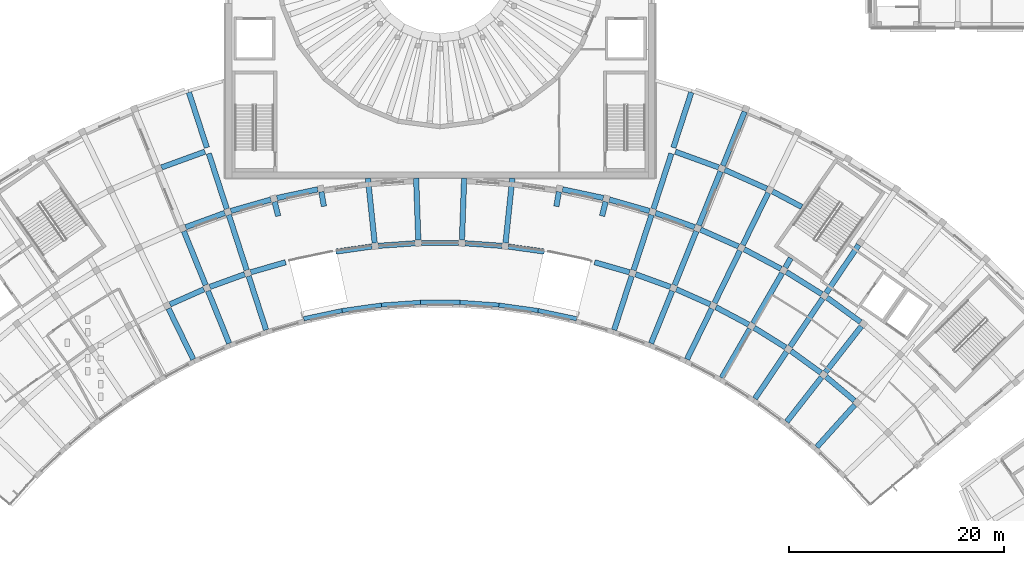
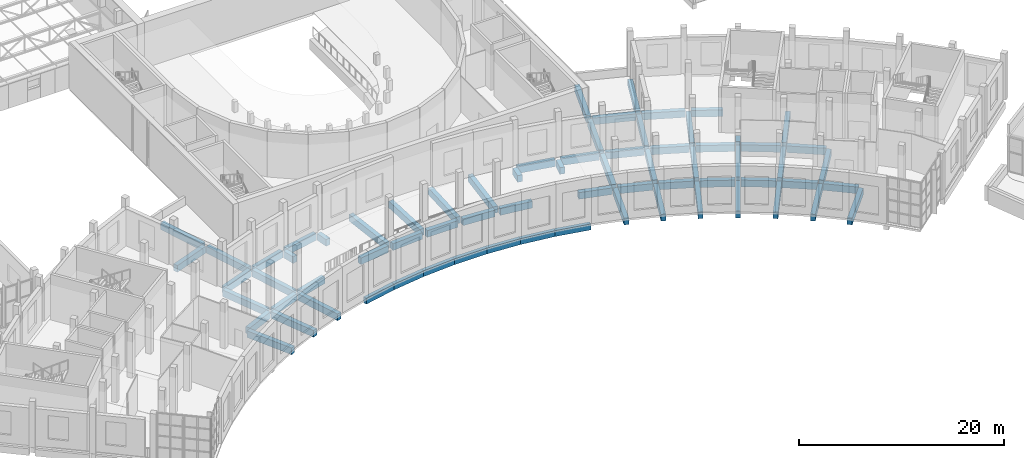
# One storey, part 13 of 132: 71 beams.
"""IFC4 building model written with IfcOpenShell, lengths in metres."""

from ifc_helpers import new_model, si_unit, direction, frame, origin, origin_2d, place, context, subcontext, project, spatial, rectangle, extrude, material, material_profile, profile_set, type_object, element, save


model = new_model("IFC4")

# Units and contexts
model_context = context("Model", 3, precision=1e-05, world=origin(), true_north=direction((0.0, 1.0)))
body_context = subcontext(model_context, "Body", "Model", "MODEL_VIEW")
ifc_project = project(units=[si_unit("LENGTHUNIT", "METRE"), si_unit("AREAUNIT", "SQUARE_METRE"), si_unit("VOLUMEUNIT", "CUBIC_METRE"), si_unit("PLANEANGLEUNIT", "RADIAN"), si_unit("MASSUNIT", "GRAM", prefix="KILO")], contexts=[model_context])

# Site, building, storey
site_placement = place(None, origin())
site = spatial("IfcSite", under=ifc_project, at=site_placement, CompositionType="ELEMENT")
building_placement = place(site_placement, origin())
building = spatial("IfcBuilding", under=site, at=building_placement, Name="Lunette Opera House", CompositionType="ELEMENT")
storey_placement = place(building_placement, frame((0.0, 0.0, 17.0)))
storey = spatial("IfcBuildingStorey", under=building, at=storey_placement, Name="L03", CompositionType="ELEMENT", Elevation=17.0)

# Beams
ifc_material_1 = material(Name="Concrete C35/45", Category="concrete")
ifc_material_profile_1 = material_profile(ifc_material_1, rectangle(XDim=0.39990234375, YDim=0.699951171875, at=origin_2d()), Name="RC BEAM 400X700")
ifc_profile_set_1 = profile_set([ifc_material_profile_1], Name="Concrete C35/45")
beam_type_1 = type_object("IfcBeamType", Name="RC BEAM 400X700", PredefinedType="BEAM", material=ifc_profile_set_1)
for number, where, z_axis, x_axis, name in (
    (1, (86.902099609375, 51.680908203125, -0.570068359375), (-0.9781869111, -0.207726664037, 0.0), (0.207726664037, -0.9781869111, 0.0), "beam-FC-L03-TRL03-029"),
    (2, (108.708984375, 50.9140625, -0.570068359375), (-0.9781869111, 0.207726664037, 0.0), (-0.207726664037, -0.9781869111, 0.0), "beam-FC-L03-TRL03-030"),
):
    element("IfcBeam", number, at=place(storey_placement, frame(where, z_axis=z_axis, x_axis=x_axis)), inside=storey, type_object=beam_type_1, Name=name, PredefinedType="BEAM", context=body_context, shape_type="SweptSolid", body=[
        extrude(rectangle(XDim=0.39990234375, YDim=0.699951171875, at=origin_2d()), origin(), (0.0, 0.0, 1.0), 3.691650390625),
    ])
beam_1_placement = place(storey_placement, frame((105.126953125, 51.676025390625, -0.570068359375), z_axis=(-0.990264413823, 0.139199104581, 0.0), x_axis=(-0.139199104581, -0.990264413823, 0.0)))
element("IfcBeam", 3, at=beam_1_placement, inside=storey, type_object=beam_type_1, Name="beam-FC-L03-TRL03-031", PredefinedType="BEAM", context=body_context, shape_type="SweptSolid", body=[
    extrude(rectangle(XDim=0.39990234375, YDim=0.699951171875, at=origin_2d()), origin(), (0.0, 0.0, 1.0), 3.69189453125),
])
beam_2_placement = place(storey_placement, frame((101.4990234375, 52.18701171875, -0.570068359375), z_axis=(-0.997571575243, 0.069648777929, 0.0), x_axis=(-0.069648777929, -0.997571575243, 0.0)))
element("IfcBeam", 4, at=beam_2_placement, inside=storey, type_object=beam_type_1, Name="beam-FC-L03-TRL03-032", PredefinedType="BEAM", context=body_context, shape_type="SweptSolid", body=[
    extrude(rectangle(XDim=0.39990234375, YDim=0.699951171875, at=origin_2d()), origin(), (0.0, 0.0, 1.0), 3.691162109375),
])
beam_3_placement = place(storey_placement, frame((97.845947265625, 52.443115234375, -0.570068359375), z_axis=(-1.0, 0.0, 0.0), x_axis=(0.0, -1.0, 0.0)))
element("IfcBeam", 5, at=beam_3_placement, inside=storey, type_object=beam_type_1, Name="beam-FC-L03-TRL03-033", PredefinedType="BEAM", context=body_context, shape_type="SweptSolid", body=[
    extrude(rectangle(XDim=0.39990234375, YDim=0.699951171875, at=origin_2d()), origin(), (0.0, 0.0, 1.0), 3.69189453125),
])
beam_4_placement = place(storey_placement, frame((94.18310546875, 52.444091796875, -0.570068359375), z_axis=(-0.997571575243, -0.069648777929, 0.0), x_axis=(0.069648777929, -0.997571575243, 0.0)))
element("IfcBeam", 6, at=beam_4_placement, inside=storey, type_object=beam_type_1, Name="beam-FC-L03-TRL03-034", PredefinedType="BEAM", context=body_context, shape_type="SweptSolid", body=[
    extrude(rectangle(XDim=0.39990234375, YDim=0.699951171875, at=origin_2d()), origin(), (0.0, 0.0, 1.0), 3.691162109375),
])
beam_5_placement = place(storey_placement, frame((90.529052734375, 52.18994140625, -0.570068359375), z_axis=(-0.990264413823, -0.139199104581, 0.0), x_axis=(0.139199104581, -0.990264413823, 0.0)))
element("IfcBeam", 7, at=beam_5_placement, inside=storey, type_object=beam_type_1, Name="beam-FC-L03-TRL03-035", PredefinedType="BEAM", context=body_context, shape_type="SweptSolid", body=[
    extrude(rectangle(XDim=0.39990234375, YDim=0.699951171875, at=origin_2d()), origin(), (0.0, 0.0, 1.0), 3.69189453125),
])
ifc_material_2 = material(Name="Concrete C35/45", Category="concrete")
ifc_material_profile_2 = material_profile(ifc_material_2, rectangle(XDim=0.5, YDim=0.800048828125, at=origin_2d()), Name="RC BEAM 500X800")
ifc_profile_set_2 = profile_set([ifc_material_profile_2], Name="Concrete C35/45")
beam_type_2 = type_object("IfcBeamType", Name="RC BEAM 500X800", PredefinedType="BEAM", material=ifc_profile_set_2)
beam_6_placement = place(storey_placement, frame((73.011962890625, 47.133056640625, -0.6201171875), z_axis=(-0.43840720038, 0.898776460893, 0.0), x_axis=(-0.898776460893, -0.43840720038, 0.0)))
element("IfcBeam", 8, at=beam_6_placement, inside=storey, type_object=beam_type_2, Name="beam-FC-L03-L03-RB-RL-07-1", PredefinedType="BEAM", context=body_context, shape_type="SweptSolid", body=[
    extrude(rectangle(XDim=0.5, YDim=0.800048828125, at=origin_2d()), origin(), (0.0, 0.0, 1.0), 5.269287109375),
])
beam_7_placement = place(storey_placement, frame((76.35595703125, 48.6220703125, -0.6201171875), z_axis=(-0.374734953038, 0.927131983577, 0.0), x_axis=(-0.927131983577, -0.374734953038, 0.0)))
element("IfcBeam", 9, at=beam_7_placement, inside=storey, type_object=beam_type_2, Name="beam-FC-L03-L03-RB-RL-08-1", PredefinedType="BEAM", context=body_context, shape_type="SweptSolid", body=[
    extrude(rectangle(XDim=0.5, YDim=0.800048828125, at=origin_2d()), origin(), (0.0, 0.0, 1.0), 5.27001953125),
])
beam_8_placement = place(storey_placement, frame((74.1640625, 54.0458984375, -0.6201171875), z_axis=(-0.374565086829, 0.927200623236, 0.0), x_axis=(-0.927200623236, -0.374565086829, 0.0)))
element("IfcBeam", 10, at=beam_8_placement, inside=storey, type_object=beam_type_2, Name="beam-FC-L03-L03-RB-RL-08-2", PredefinedType="BEAM", context=body_context, shape_type="SweptSolid", body=[
    extrude(rectangle(XDim=0.5, YDim=0.800048828125, at=origin_2d()), origin(), (0.0, 0.0, 1.0), 5.419677734375),
])
beam_9_placement = place(storey_placement, frame((79.794921875, 49.873046875, -0.6201171875), z_axis=(-0.308921598548, 0.951087506989, 0.0), x_axis=(-0.951087506989, -0.308921598548, 0.0)))
element("IfcBeam", 11, at=beam_9_placement, inside=storey, type_object=beam_type_2, Name="beam-FC-L03-L03-RB-RL-09-1", PredefinedType="BEAM", context=body_context, shape_type="SweptSolid", body=[
    extrude(rectangle(XDim=0.5, YDim=0.800048828125, at=origin_2d()), origin(), (0.0, 0.0, 1.0), 5.269775390625),
])
beam_10_placement = place(storey_placement, frame((77.987060546875, 55.43701171875, -0.6201171875), z_axis=(-0.308867082307, 0.951105212617, 0.0), x_axis=(-0.951105212617, -0.308867082307, 0.0)))
element("IfcBeam", 12, at=beam_10_placement, inside=storey, type_object=beam_type_2, Name="beam-FC-L03-L03-RB-RL-09-2", PredefinedType="BEAM", context=body_context, shape_type="SweptSolid", body=[
    extrude(rectangle(XDim=0.5, YDim=0.800048828125, at=origin_2d()), origin(), (0.0, 0.0, 1.0), 5.419921875),
])
beam_11_placement = place(storey_placement, frame((76.133056640625, 61.14306640625, -0.6201171875), z_axis=(-0.30903005631, 0.951052272116, 0.0), x_axis=(-0.951052272116, -0.30903005631, 0.0)))
element("IfcBeam", 13, at=beam_11_placement, inside=storey, type_object=beam_type_2, Name="beam-FC-L03-L03-RB-RL-09-3", PredefinedType="BEAM", context=body_context, shape_type="SweptSolid", body=[
    extrude(rectangle(XDim=0.5, YDim=0.800048828125, at=origin_2d()), origin(), (0.0, 0.0, 1.0), 5.42041015625),
])
beam_12_placement = place(storey_placement, frame((74.279052734375, 66.85009765625, -0.6201171875), z_axis=(-0.309096259136, 0.951030757961, 0.0), x_axis=(-0.951030757961, -0.309096259136, 0.0)))
element("IfcBeam", 14, at=beam_12_placement, inside=storey, type_object=beam_type_2, Name="beam-FC-L03-L03-RB-RL-09-4", PredefinedType="BEAM", context=body_context, shape_type="SweptSolid", body=[
    extrude(rectangle(XDim=0.5, YDim=0.800048828125, at=origin_2d()), origin(), (0.0, 0.0, 1.0), 5.419189453125),
])
beam_13_placement = place(storey_placement, frame((80.9208984375, 60.47705078125, -0.6201171875), z_axis=(-0.241662648363, 0.970360327088, 0.0), x_axis=(-0.970360327088, -0.241662648363, 0.0)))
element("IfcBeam", 15, at=beam_13_placement, inside=storey, type_object=beam_type_2, Name="beam-FC-L03-L03-RB-RL-10-2", PredefinedType="BEAM", context=body_context, shape_type="SweptSolid", body=[
    extrude(rectangle(XDim=0.5, YDim=0.800048828125, at=origin_2d()), origin(), (0.0, 0.0, 1.0), 1.382080078125),
])
beam_14_placement = place(storey_placement, frame((85.177001953125, 61.381103515625, -0.6201171875), z_axis=(-0.173674464404, 0.984803117589, 0.0), x_axis=(-0.984803117589, -0.173674464404, 0.0)))
element("IfcBeam", 16, at=beam_14_placement, inside=storey, type_object=beam_type_2, Name="beam-FC-L03-L03-RB-RL-11-2", PredefinedType="BEAM", context=body_context, shape_type="SweptSolid", body=[
    extrude(rectangle(XDim=0.5, YDim=0.800048828125, at=origin_2d()), origin(), (0.0, 0.0, 1.0), 1.3818359375),
])
beam_15_placement = place(storey_placement, frame((89.906982421875, 57.970947265625, -0.6201171875), z_axis=(-0.104586255643, 0.994515819447, 0.0), x_axis=(-0.994515819447, -0.104586255643, 0.0)))
element("IfcBeam", 17, at=beam_15_placement, inside=storey, type_object=beam_type_2, Name="beam-FC-L03-L03-RB-RL-12-2", PredefinedType="BEAM", context=body_context, shape_type="SweptSolid", body=[
    extrude(rectangle(XDim=0.5, YDim=0.800048828125, at=origin_2d()), origin(), (0.0, 0.0, 1.0), 6.062255859375),
])
for number, where, z_axis, x_axis, name in (
    (18, (93.966064453125, 58.25390625, -0.6201171875), (-0.034988760606, 0.999387705864, 0.0), (-0.999387705864, -0.034988760606, 0.0), "beam-FC-L03-L03-RB-RL-13-2"),
    (19, (98.033935546875, 58.25390625, -0.6201171875), (0.034988760606, 0.999387705864, 0.0), (-0.999387705864, 0.034988760606, 0.0), "beam-FC-L03-L03-RB-RL-14-2"),
):
    element("IfcBeam", number, at=place(storey_placement, frame(where, z_axis=z_axis, x_axis=x_axis)), inside=storey, type_object=beam_type_2, Name=name, PredefinedType="BEAM", context=body_context, shape_type="SweptSolid", body=[
        extrude(rectangle(XDim=0.5, YDim=0.800048828125, at=origin_2d()), origin(), (0.0, 0.0, 1.0), 5.74951171875),
    ])
beam_16_placement = place(storey_placement, frame((102.093017578125, 57.970947265625, -0.6201171875), z_axis=(0.104586255643, 0.994515819447, 0.0), x_axis=(-0.994515819447, 0.104586255643, 0.0)))
element("IfcBeam", 20, at=beam_16_placement, inside=storey, type_object=beam_type_2, Name="beam-FC-L03-L03-RB-RL-15-2", PredefinedType="BEAM", context=body_context, shape_type="SweptSolid", body=[
    extrude(rectangle(XDim=0.5, YDim=0.800048828125, at=origin_2d()), origin(), (0.0, 0.0, 1.0), 6.062255859375),
])
beam_17_placement = place(storey_placement, frame((106.822998046875, 61.381103515625, -0.6201171875), z_axis=(0.173674464404, 0.984803117589, 0.0), x_axis=(-0.984803117589, 0.173674464404, 0.0)))
element("IfcBeam", 21, at=beam_17_placement, inside=storey, type_object=beam_type_2, Name="beam-FC-L03-L03-RB-RL-16-2", PredefinedType="BEAM", context=body_context, shape_type="SweptSolid", body=[
    extrude(rectangle(XDim=0.5, YDim=0.800048828125, at=origin_2d()), origin(), (0.0, 0.0, 1.0), 1.3818359375),
])
beam_18_placement = place(storey_placement, frame((111.0791015625, 60.47705078125, -0.6201171875), z_axis=(0.241662648363, 0.970360327088, 0.0), x_axis=(-0.970360327088, 0.241662648363, 0.0)))
element("IfcBeam", 22, at=beam_18_placement, inside=storey, type_object=beam_type_2, Name="beam-FC-L03-L03-RB-RL-17-2", PredefinedType="BEAM", context=body_context, shape_type="SweptSolid", body=[
    extrude(rectangle(XDim=0.5, YDim=0.800048828125, at=origin_2d()), origin(), (0.0, 0.0, 1.0), 1.382080078125),
])
beam_19_placement = place(storey_placement, frame((112.205078125, 49.873046875, -0.6201171875), z_axis=(0.308921598548, 0.951087506989, 0.0), x_axis=(-0.951087506989, 0.308921598548, 0.0)))
element("IfcBeam", 23, at=beam_19_placement, inside=storey, type_object=beam_type_2, Name="beam-FC-L03-L03-RB-RL-18-1", PredefinedType="BEAM", context=body_context, shape_type="SweptSolid", body=[
    extrude(rectangle(XDim=0.5, YDim=0.800048828125, at=origin_2d()), origin(), (0.0, 0.0, 1.0), 5.269775390625),
])
beam_20_placement = place(storey_placement, frame((114.012939453125, 55.43701171875, -0.6201171875), z_axis=(0.308867082307, 0.951105212617, 0.0), x_axis=(-0.951105212617, 0.308867082307, 0.0)))
element("IfcBeam", 24, at=beam_20_placement, inside=storey, type_object=beam_type_2, Name="beam-FC-L03-L03-RB-RL-18-2", PredefinedType="BEAM", context=body_context, shape_type="SweptSolid", body=[
    extrude(rectangle(XDim=0.5, YDim=0.800048828125, at=origin_2d()), origin(), (0.0, 0.0, 1.0), 5.419921875),
])
beam_21_placement = place(storey_placement, frame((115.866943359375, 61.14306640625, -0.6201171875), z_axis=(0.30903005631, 0.951052272116, 0.0), x_axis=(-0.951052272116, 0.30903005631, 0.0)))
element("IfcBeam", 25, at=beam_21_placement, inside=storey, type_object=beam_type_2, Name="beam-FC-L03-L03-RB-RL-18-3", PredefinedType="BEAM", context=body_context, shape_type="SweptSolid", body=[
    extrude(rectangle(XDim=0.5, YDim=0.800048828125, at=origin_2d()), origin(), (0.0, 0.0, 1.0), 5.42041015625),
])
beam_22_placement = place(storey_placement, frame((117.720947265625, 66.85009765625, -0.6201171875), z_axis=(0.309096259136, 0.951030757961, 0.0), x_axis=(-0.951030757961, 0.309096259136, 0.0)))
element("IfcBeam", 26, at=beam_22_placement, inside=storey, type_object=beam_type_2, Name="beam-FC-L03-L03-RB-RL-18-4", PredefinedType="BEAM", context=body_context, shape_type="SweptSolid", body=[
    extrude(rectangle(XDim=0.5, YDim=0.800048828125, at=origin_2d()), origin(), (0.0, 0.0, 1.0), 5.419189453125),
])
beam_23_placement = place(storey_placement, frame((115.64404296875, 48.6220703125, -0.6201171875), z_axis=(0.374734953038, 0.927131983577, 0.0), x_axis=(-0.927131983577, 0.374734953038, 0.0)))
element("IfcBeam", 27, at=beam_23_placement, inside=storey, type_object=beam_type_2, Name="beam-FC-L03-L03-RB-RL-19-1", PredefinedType="BEAM", context=body_context, shape_type="SweptSolid", body=[
    extrude(rectangle(XDim=0.5, YDim=0.800048828125, at=origin_2d()), origin(), (0.0, 0.0, 1.0), 5.27001953125),
])
beam_24_placement = place(storey_placement, frame((117.8359375, 54.0458984375, -0.6201171875), z_axis=(0.374565086829, 0.927200623236, 0.0), x_axis=(-0.927200623236, 0.374565086829, 0.0)))
element("IfcBeam", 28, at=beam_24_placement, inside=storey, type_object=beam_type_2, Name="beam-FC-L03-L03-RB-RL-19-2", PredefinedType="BEAM", context=body_context, shape_type="SweptSolid", body=[
    extrude(rectangle(XDim=0.5, YDim=0.800048828125, at=origin_2d()), origin(), (0.0, 0.0, 1.0), 5.419677734375),
])
beam_25_placement = place(storey_placement, frame((120.0830078125, 59.60888671875, -0.6201171875), z_axis=(0.374719978652, 0.927138035893, 0.0), x_axis=(-0.927138035893, 0.374719978652, 0.0)))
element("IfcBeam", 29, at=beam_25_placement, inside=storey, type_object=beam_type_2, Name="beam-FC-L03-L03-RB-RL-19-3", PredefinedType="BEAM", context=body_context, shape_type="SweptSolid", body=[
    extrude(rectangle(XDim=0.5, YDim=0.800048828125, at=origin_2d()), origin(), (0.0, 0.0, 1.0), 5.420166015625),
])
beam_26_placement = place(storey_placement, frame((122.3310546875, 65.172119140625, -0.6201171875), z_axis=(0.374580732086, 0.927194302803, 0.0), x_axis=(-0.927194302803, 0.374580732086, 0.0)))
element("IfcBeam", 30, at=beam_26_placement, inside=storey, type_object=beam_type_2, Name="beam-FC-L03-L03-RB-RL-19-4", PredefinedType="BEAM", context=body_context, shape_type="SweptSolid", body=[
    extrude(rectangle(XDim=0.5, YDim=0.800048828125, at=origin_2d()), origin(), (0.0, 0.0, 1.0), 5.41943359375),
])
beam_27_placement = place(storey_placement, frame((118.988037109375, 47.133056640625, -0.6201171875), z_axis=(0.43840720038, 0.898776460893, 0.0), x_axis=(-0.898776460893, 0.43840720038, 0.0)))
element("IfcBeam", 31, at=beam_27_placement, inside=storey, type_object=beam_type_2, Name="beam-FC-L03-L03-RB-RL-20-1", PredefinedType="BEAM", context=body_context, shape_type="SweptSolid", body=[
    extrude(rectangle(XDim=0.5, YDim=0.800048828125, at=origin_2d()), origin(), (0.0, 0.0, 1.0), 5.269287109375),
])
beam_28_placement = place(storey_placement, frame((121.552978515625, 52.39111328125, -0.6201171875), z_axis=(0.438416531546, 0.898771909256, 0.0), x_axis=(-0.898771909256, 0.438416531546, 0.0)))
element("IfcBeam", 32, at=beam_28_placement, inside=storey, type_object=beam_type_2, Name="beam-FC-L03-L03-RB-RL-20-2", PredefinedType="BEAM", context=body_context, shape_type="SweptSolid", body=[
    extrude(rectangle(XDim=0.5, YDim=0.800048828125, at=origin_2d()), origin(), (0.0, 0.0, 1.0), 5.41943359375),
])
beam_29_placement = place(storey_placement, frame((124.18310546875, 57.782958984375, -0.6201171875), z_axis=(0.438327792699, 0.898815190207, 0.0), x_axis=(-0.898815190207, 0.438327792699, 0.0)))
element("IfcBeam", 33, at=beam_29_placement, inside=storey, type_object=beam_type_2, Name="beam-FC-L03-L03-RB-RL-20-3", PredefinedType="BEAM", context=body_context, shape_type="SweptSolid", body=[
    extrude(rectangle(XDim=0.5, YDim=0.800048828125, at=origin_2d()), origin(), (0.0, 0.0, 1.0), 5.420654296875),
])
beam_30_placement = place(storey_placement, frame((122.219970703125, 45.4140625, -0.6201171875), z_axis=(0.500000488781, 0.866025121586, 0.0), x_axis=(-0.866025121586, 0.500000488781, 0.0)))
element("IfcBeam", 34, at=beam_30_placement, inside=storey, type_object=beam_type_2, Name="beam-FC-L03-L03-RB-RL-21-1", PredefinedType="BEAM", context=body_context, shape_type="SweptSolid", body=[
    extrude(rectangle(XDim=0.5, YDim=0.800048828125, at=origin_2d()), origin(), (0.0, 0.0, 1.0), 5.27001953125),
])
beam_31_placement = place(storey_placement, frame((125.14501953125, 50.48095703125, -0.6201171875), z_axis=(0.500053916174, 0.865994273029, 0.0), x_axis=(-0.865994273029, 0.500053916174, 0.0)))
element("IfcBeam", 35, at=beam_31_placement, inside=storey, type_object=beam_type_2, Name="beam-FC-L03-L03-RB-RL-21-2", PredefinedType="BEAM", context=body_context, shape_type="SweptSolid", body=[
    extrude(rectangle(XDim=0.5, YDim=0.800048828125, at=origin_2d()), origin(), (0.0, 0.0, 1.0), 5.41943359375),
])
beam_32_placement = place(storey_placement, frame((128.14501953125, 55.677001953125, -0.6201171875), z_axis=(0.499826215357, 0.866125715149, 0.0), x_axis=(-0.866125715149, 0.499826215357, 0.0)))
element("IfcBeam", 36, at=beam_32_placement, inside=storey, type_object=beam_type_2, Name="beam-FC-L03-L03-RB-RL-21-3", PredefinedType="BEAM", context=body_context, shape_type="SweptSolid", body=[
    extrude(rectangle(XDim=0.5, YDim=0.800048828125, at=origin_2d()), origin(), (0.0, 0.0, 1.0), 1.018310546875),
])
beam_33_placement = place(storey_placement, frame((125.323974609375, 43.47509765625, -0.6201171875), z_axis=(0.559214239494, 0.829023180826, 0.0), x_axis=(-0.829023180826, 0.559214239494, 0.0)))
element("IfcBeam", 37, at=beam_33_placement, inside=storey, type_object=beam_type_2, Name="beam-FC-L03-L03-RB-RL-22-1", PredefinedType="BEAM", context=body_context, shape_type="SweptSolid", body=[
    extrude(rectangle(XDim=0.5, YDim=0.800048828125, at=origin_2d()), origin(), (0.0, 0.0, 1.0), 5.27001953125),
])
beam_34_placement = place(storey_placement, frame((128.594970703125, 48.324951171875, -0.6201171875), z_axis=(0.559234551388, 0.829009479158, 0.0), x_axis=(-0.829009479158, 0.559234551388, 0.0)))
element("IfcBeam", 38, at=beam_34_placement, inside=storey, type_object=beam_type_2, Name="beam-FC-L03-L03-RB-RL-22-2", PredefinedType="BEAM", context=body_context, shape_type="SweptSolid", body=[
    extrude(rectangle(XDim=0.5, YDim=0.800048828125, at=origin_2d()), origin(), (0.0, 0.0, 1.0), 5.419921875),
])
beam_35_placement = place(storey_placement, frame((131.950927734375, 53.299072265625, -0.6201171875), z_axis=(0.559131586126, 0.829078928327, 0.0), x_axis=(-0.829078928327, 0.559131586126, 0.0)))
element("IfcBeam", 39, at=beam_35_placement, inside=storey, type_object=beam_type_2, Name="beam-FC-L03-L03-RB-RL-22-3", PredefinedType="BEAM", context=body_context, shape_type="SweptSolid", body=[
    extrude(rectangle(XDim=0.5, YDim=0.800048828125, at=origin_2d()), origin(), (0.0, 0.0, 1.0), 5.419189453125),
])
beam_36_placement = place(storey_placement, frame((128.284912109375, 41.322998046875, -0.6201171875), z_axis=(0.615706064314, 0.787975914839, 0.0), x_axis=(-0.787975914839, 0.615706064314, 0.0)))
element("IfcBeam", 40, at=beam_36_placement, inside=storey, type_object=beam_type_2, Name="beam-FC-L03-L03-RB-RL-23-1", PredefinedType="BEAM", context=body_context, shape_type="SweptSolid", body=[
    extrude(rectangle(XDim=0.5, YDim=0.800048828125, at=origin_2d()), origin(), (0.0, 0.0, 1.0), 5.2705078125),
])
beam_37_placement = place(storey_placement, frame((131.886962890625, 45.93310546875, -0.6201171875), z_axis=(0.615694738136, 0.78798476472, 0.0), x_axis=(-0.78798476472, 0.615694738136, 0.0)))
element("IfcBeam", 41, at=beam_37_placement, inside=storey, type_object=beam_type_2, Name="beam-FC-L03-L03-RB-RL-23-2", PredefinedType="BEAM", context=body_context, shape_type="SweptSolid", body=[
    extrude(rectangle(XDim=0.5, YDim=0.800048828125, at=origin_2d()), origin(), (0.0, 0.0, 1.0), 5.420166015625),
])
beam_38_placement = place(storey_placement, frame((131.089111328125, 38.970947265625, -0.6201171875), z_axis=(0.669220634894, 0.743063753545, 0.0), x_axis=(-0.743063753545, 0.669220634894, 0.0)))
element("IfcBeam", 42, at=beam_38_placement, inside=storey, type_object=beam_type_2, Name="beam-FC-L03-L03-RB-RL-24-1", PredefinedType="BEAM", context=body_context, shape_type="SweptSolid", body=[
    extrude(rectangle(XDim=0.5, YDim=0.800048828125, at=origin_2d()), origin(), (0.0, 0.0, 1.0), 5.27001953125),
])
beam_39_placement = place(storey_placement, frame((70.839111328125, 52.248046875, -0.6201171875), z_axis=(0.913547244718, 0.406732629216, 0.0), x_axis=(-0.406732629216, 0.913547244718, 0.0)))
element("IfcBeam", 43, at=beam_39_placement, inside=storey, type_object=beam_type_2, Name="beam-FC-L03-L03-RG-AR-M1-RL-07", PredefinedType="BEAM", context=body_context, shape_type="SweptSolid", body=[
    extrude(rectangle(XDim=0.5, YDim=0.800048828125, at=origin_2d()), origin(), (0.0, 0.0, 1.0), 3.46875),
])
beam_40_placement = place(storey_placement, frame((74.5458984375, 53.8759765625, -0.6201171875), z_axis=(0.939674125144, 0.34207095541, 0.0), x_axis=(-0.34207095541, 0.939674125144, 0.0)))
element("IfcBeam", 44, at=beam_40_placement, inside=storey, type_object=beam_type_2, Name="beam-FC-L03-L03-RG-AR-M1-RL-08", PredefinedType="BEAM", context=body_context, shape_type="SweptSolid", body=[
    extrude(rectangle(XDim=0.5, YDim=0.800048828125, at=origin_2d()), origin(), (0.0, 0.0, 1.0), 3.46728515625),
])
beam_41_placement = place(storey_placement, frame((78.35595703125, 55.240966796875, -0.6201171875), z_axis=(0.961240924633, 0.27570978367, 0.0), x_axis=(-0.27570978367, 0.961240924633, 0.0)))
element("IfcBeam", 45, at=beam_41_placement, inside=storey, type_object=beam_type_2, Name="beam-FC-L03-L03-RG-AR-M1-RL-09", PredefinedType="BEAM", context=body_context, shape_type="SweptSolid", body=[
    extrude(rectangle(XDim=0.5, YDim=0.800048828125, at=origin_2d()), origin(), (0.0, 0.0, 1.0), 3.391357421875),
])
beam_42_placement = place(storey_placement, frame((86.2919921875, 57.169921875, -0.6201171875), z_axis=(0.990258130082, 0.139243799882, 0.0), x_axis=(-0.139243799882, 0.990258130082, 0.0)))
element("IfcBeam", 46, at=beam_42_placement, inside=storey, type_object=beam_type_2, Name="beam-FC-L03-L03-RG-AR-M1-RL-11", PredefinedType="BEAM", context=body_context, shape_type="SweptSolid", body=[
    extrude(rectangle(XDim=0.5, YDim=0.800048828125, at=origin_2d()), origin(), (0.0, 0.0, 1.0), 3.390869140625),
])
beam_43_placement = place(storey_placement, frame((90.22607421875, 57.701904296875, -0.6201171875), z_axis=(0.997540895374, 0.070086817988, 0.0), x_axis=(-0.070086817988, 0.997540895374, 0.0)))
element("IfcBeam", 47, at=beam_43_placement, inside=storey, type_object=beam_type_2, Name="beam-FC-L03-L03-RG-AR-M1-RL-12", PredefinedType="BEAM", context=body_context, shape_type="SweptSolid", body=[
    extrude(rectangle(XDim=0.5, YDim=0.800048828125, at=origin_2d()), origin(), (0.0, 0.0, 1.0), 3.469482421875),
])
beam_44_placement = place(storey_placement, frame((94.26611328125, 57.965087890625, -0.6201171875), z_axis=(1.0, 0.0, 0.0), x_axis=(0.0, 1.0, 0.0)))
element("IfcBeam", 48, at=beam_44_placement, inside=storey, type_object=beam_type_2, Name="beam-FC-L03-L03-RG-AR-M1-RL-13", PredefinedType="BEAM", context=body_context, shape_type="SweptSolid", body=[
    extrude(rectangle(XDim=0.5, YDim=0.800048828125, at=origin_2d()), origin(), (0.0, 0.0, 1.0), 3.4677734375),
])
beam_45_placement = place(storey_placement, frame((98.31298828125, 57.945068359375, -0.6201171875), z_axis=(0.997540895374, -0.070086817988, 0.0), x_axis=(0.070086817988, 0.997540895374, 0.0)))
element("IfcBeam", 49, at=beam_45_placement, inside=storey, type_object=beam_type_2, Name="beam-FC-L03-L03-RG-AR-M1-RL-14", PredefinedType="BEAM", context=body_context, shape_type="SweptSolid", body=[
    extrude(rectangle(XDim=0.5, YDim=0.800048828125, at=origin_2d()), origin(), (0.0, 0.0, 1.0), 3.469482421875),
])
beam_46_placement = place(storey_placement, frame((102.35009765625, 57.64208984375, -0.6201171875), z_axis=(0.990258130082, -0.139243799882, 0.0), x_axis=(0.139243799882, 0.990258130082, 0.0)))
element("IfcBeam", 50, at=beam_46_placement, inside=storey, type_object=beam_type_2, Name="beam-FC-L03-L03-RG-AR-M1-RL-15", PredefinedType="BEAM", context=body_context, shape_type="SweptSolid", body=[
    extrude(rectangle(XDim=0.5, YDim=0.800048828125, at=origin_2d()), origin(), (0.0, 0.0, 1.0), 3.390869140625),
])
beam_47_placement = place(storey_placement, frame((110.384033203125, 56.176025390625, -0.6201171875), z_axis=(0.961240924633, -0.27570978367, 0.0), x_axis=(0.27570978367, 0.961240924633, 0.0)))
element("IfcBeam", 51, at=beam_47_placement, inside=storey, type_object=beam_type_2, Name="beam-FC-L03-L03-RG-AR-M1-RL-17", PredefinedType="BEAM", context=body_context, shape_type="SweptSolid", body=[
    extrude(rectangle(XDim=0.5, YDim=0.800048828125, at=origin_2d()), origin(), (0.0, 0.0, 1.0), 3.391357421875),
])
beam_48_placement = place(storey_placement, frame((114.196044921875, 55.06201171875, -0.6201171875), z_axis=(0.939674125144, -0.34207095541, 0.0), x_axis=(0.34207095541, 0.939674125144, 0.0)))
element("IfcBeam", 52, at=beam_48_placement, inside=storey, type_object=beam_type_2, Name="beam-FC-L03-L03-RG-AR-M1-RL-18", PredefinedType="BEAM", context=body_context, shape_type="SweptSolid", body=[
    extrude(rectangle(XDim=0.5, YDim=0.800048828125, at=origin_2d()), origin(), (0.0, 0.0, 1.0), 3.46728515625),
])
beam_49_placement = place(storey_placement, frame((117.991943359375, 53.658935546875, -0.6201171875), z_axis=(0.913547244718, -0.406732629216, 0.0), x_axis=(0.406732629216, 0.913547244718, 0.0)))
element("IfcBeam", 53, at=beam_49_placement, inside=storey, type_object=beam_type_2, Name="beam-FC-L03-L03-RG-AR-M1-RL-19", PredefinedType="BEAM", context=body_context, shape_type="SweptSolid", body=[
    extrude(rectangle(XDim=0.5, YDim=0.800048828125, at=origin_2d()), origin(), (0.0, 0.0, 1.0), 3.46875),
])
beam_50_placement = place(storey_placement, frame((121.681884765625, 51.993896484375, -0.6201171875), z_axis=(0.882851275799, -0.469652664019, 0.0), x_axis=(0.469652664019, 0.882851275799, 0.0)))
element("IfcBeam", 54, at=beam_50_placement, inside=storey, type_object=beam_type_2, Name="beam-FC-L03-L03-RG-AR-M1-RL-20", PredefinedType="BEAM", context=body_context, shape_type="SweptSolid", body=[
    extrude(rectangle(XDim=0.5, YDim=0.800048828125, at=origin_2d()), origin(), (0.0, 0.0, 1.0), 3.46826171875),
])
beam_51_placement = place(storey_placement, frame((125.24609375, 50.074951171875, -0.6201171875), z_axis=(0.848148581563, -0.52975842003, 0.0), x_axis=(0.52975842003, 0.848148581563, 0.0)))
element("IfcBeam", 55, at=beam_51_placement, inside=storey, type_object=beam_type_2, Name="beam-FC-L03-L03-RG-AR-M1-RL-21", PredefinedType="BEAM", context=body_context, shape_type="SweptSolid", body=[
    extrude(rectangle(XDim=0.5, YDim=0.800048828125, at=origin_2d()), origin(), (0.0, 0.0, 1.0), 3.467529296875),
])
beam_52_placement = place(storey_placement, frame((128.66796875, 47.9130859375, -0.6201171875), z_axis=(0.80912572479, -0.5876355686, 0.0), x_axis=(0.5876355686, 0.80912572479, 0.0)))
element("IfcBeam", 56, at=beam_52_placement, inside=storey, type_object=beam_type_2, Name="beam-FC-L03-L03-RG-AR-M1-RL-22", PredefinedType="BEAM", context=body_context, shape_type="SweptSolid", body=[
    extrude(rectangle(XDim=0.5, YDim=0.800048828125, at=origin_2d()), origin(), (0.0, 0.0, 1.0), 3.466552734375),
])
beam_53_placement = place(storey_placement, frame((131.929931640625, 45.51806640625, -0.6201171875), z_axis=(0.76622731236, -0.642569611633, 0.0), x_axis=(0.642569611633, 0.76622731236, 0.0)))
element("IfcBeam", 57, at=beam_53_placement, inside=storey, type_object=beam_type_2, Name="beam-FC-L03-L03-RG-AR-M1-RL-23", PredefinedType="BEAM", context=body_context, shape_type="SweptSolid", body=[
    extrude(rectangle(XDim=0.5, YDim=0.800048828125, at=origin_2d()), origin(), (0.0, 0.0, 1.0), 3.468994140625),
])
for number, where, z_axis, x_axis, name in (
    (58, (72.298095703125, 59.43896484375, -0.6201171875), (0.939617227647, 0.342227213279, 0.0), (-0.342227213279, 0.939617227647, 0.0), "beam-FC-L03-L03-RG-AR-B-RL-08"),
    (59, (76.501953125, 60.947998046875, -0.6201171875), (0.96127941359, 0.275575559526, 0.0), (-0.275575559526, 0.96127941359, 0.0), "beam-FC-L03-L03-RG-AR-B-RL-09"),
):
    element("IfcBeam", number, at=place(storey_placement, frame(where, z_axis=z_axis, x_axis=x_axis)), inside=storey, type_object=beam_type_2, Name=name, PredefinedType="BEAM", context=body_context, shape_type="SweptSolid", body=[
        extrude(rectangle(XDim=0.5, YDim=0.800048828125, at=origin_2d()), origin(), (0.0, 0.0, 1.0), 3.886474609375),
    ])
for number, where, z_axis, x_axis, name in (
    (60, (80.801025390625, 62.158935546875, -0.6201171875), (0.978098312025, 0.208143440959, 0.0), (-0.208143440959, 0.978098312025, 0.0), "beam-FC-L03-L03-RG-AR-B-RL-10"),
    (61, (107.39697265625, 62.968017578125, -0.6201171875), (0.978098312025, -0.208143440959, 0.0), (0.208143440959, 0.978098312025, 0.0), "beam-FC-L03-L03-RG-AR-B-RL-16"),
):
    element("IfcBeam", number, at=place(storey_placement, frame(where, z_axis=z_axis, x_axis=x_axis)), inside=storey, type_object=beam_type_2, Name=name, PredefinedType="BEAM", context=body_context, shape_type="SweptSolid", body=[
        extrude(rectangle(XDim=0.5, YDim=0.800048828125, at=origin_2d()), origin(), (0.0, 0.0, 1.0), 3.88720703125),
    ])
for number, where, z_axis, x_axis, name in (
    (62, (111.761962890625, 62.01904296875, -0.6201171875), (0.96127941359, -0.275575559526, 0.0), (0.275575559526, 0.96127941359, 0.0), "beam-FC-L03-L03-RG-AR-B-RL-17"),
    (63, (116.050048828125, 60.76904296875, -0.6201171875), (0.939617227647, -0.342227213279, 0.0), (0.342227213279, 0.939617227647, 0.0), "beam-FC-L03-L03-RG-AR-B-RL-18"),
):
    element("IfcBeam", number, at=place(storey_placement, frame(where, z_axis=z_axis, x_axis=x_axis)), inside=storey, type_object=beam_type_2, Name=name, PredefinedType="BEAM", context=body_context, shape_type="SweptSolid", body=[
        extrude(rectangle(XDim=0.5, YDim=0.800048828125, at=origin_2d()), origin(), (0.0, 0.0, 1.0), 3.886474609375),
    ])
for number, where, z_axis, x_axis, name in (
    (64, (120.239990234375, 59.221923828125, -0.6201171875), (0.913565322769, -0.406692022339, 0.0), (0.406692022339, 0.913565322769, 0.0), "beam-FC-L03-L03-RG-AR-B-RL-19"),
    (65, (124.31201171875, 57.386962890625, -0.6201171875), (0.882927791084, -0.469508802614, 0.0), (0.469508802614, 0.882927791084, 0.0), "beam-FC-L03-L03-RG-AR-B-RL-20"),
):
    element("IfcBeam", number, at=place(storey_placement, frame(where, z_axis=z_axis, x_axis=x_axis)), inside=storey, type_object=beam_type_2, Name=name, PredefinedType="BEAM", context=body_context, shape_type="SweptSolid", body=[
        extrude(rectangle(XDim=0.5, YDim=0.800048828125, at=origin_2d()), origin(), (0.0, 0.0, 1.0), 3.886962890625),
    ])
beam_54_placement = place(storey_placement, frame((128.24609375, 55.27197265625, -0.6201171875), z_axis=(0.847984188279, -0.530021524496, 0.0), x_axis=(0.530021524496, 0.847984188279, 0.0)))
element("IfcBeam", 66, at=beam_54_placement, inside=storey, type_object=beam_type_2, Name="beam-FC-L03-L03-RG-AR-B-RL-21", PredefinedType="BEAM", context=body_context, shape_type="SweptSolid", body=[
    extrude(rectangle(XDim=0.5, YDim=0.800048828125, at=origin_2d()), origin(), (0.0, 0.0, 1.0), 3.88671875),
])
beam_55_placement = place(storey_placement, frame((132.02294921875, 52.886962890625, -0.6201171875), z_axis=(0.809178751177, -0.587562548708, 0.0), x_axis=(0.587562548708, 0.809178751177, 0.0)))
element("IfcBeam", 67, at=beam_55_placement, inside=storey, type_object=beam_type_2, Name="beam-FC-L03-L03-RG-AR-B-RL-22", PredefinedType="BEAM", context=body_context, shape_type="SweptSolid", body=[
    extrude(rectangle(XDim=0.5, YDim=0.800048828125, at=origin_2d()), origin(), (0.0, 0.0, 1.0), 3.885498046875),
])
for number, where, z_axis, x_axis, name in (
    (68, (70.051025390625, 65.001953125, -0.6201171875), (0.939624410987, 0.342207490095, 0.0), (-0.342207490095, 0.939624410987, 0.0), "beam-FC-L03-L03-RG-AR-M2-RL-08"),
    (69, (117.904052734375, 66.47509765625, -0.6201171875), (0.939624410987, -0.342207490095, 0.0), (0.342207490095, 0.939624410987, 0.0), "beam-FC-L03-L03-RG-AR-M2-RL-18"),
):
    element("IfcBeam", number, at=place(storey_placement, frame(where, z_axis=z_axis, x_axis=x_axis)), inside=storey, type_object=beam_type_2, Name=name, PredefinedType="BEAM", context=body_context, shape_type="SweptSolid", body=[
        extrude(rectangle(XDim=0.5, YDim=0.800048828125, at=origin_2d()), origin(), (0.0, 0.0, 1.0), 4.304931640625),
    ])
beam_56_placement = place(storey_placement, frame((122.487060546875, 64.784912109375, -0.6201171875), z_axis=(0.91358695216, -0.406643432067, 0.0), x_axis=(0.406643432067, 0.91358695216, 0.0)))
element("IfcBeam", 70, at=beam_56_placement, inside=storey, type_object=beam_type_2, Name="beam-FC-L03-L03-RG-AR-M2-RL-19", PredefinedType="BEAM", context=body_context, shape_type="SweptSolid", body=[
    extrude(rectangle(XDim=0.5, YDim=0.800048828125, at=origin_2d()), origin(), (0.0, 0.0, 1.0), 4.305908203125),
])
beam_57_placement = place(storey_placement, frame((126.94189453125, 62.780029296875, -0.6201171875), z_axis=(0.882832733664, -0.469687517794, 0.0), x_axis=(0.469687517794, 0.882832733664, 0.0)))
element("IfcBeam", 71, at=beam_57_placement, inside=storey, type_object=beam_type_2, Name="beam-FC-L03-L03-RG-AR-M2-RL-20", PredefinedType="BEAM", context=body_context, shape_type="SweptSolid", body=[
    extrude(rectangle(XDim=0.5, YDim=0.800048828125, at=origin_2d()), origin(), (0.0, 0.0, 1.0), 3.095947265625),
])

save(model, "model.ifc")
